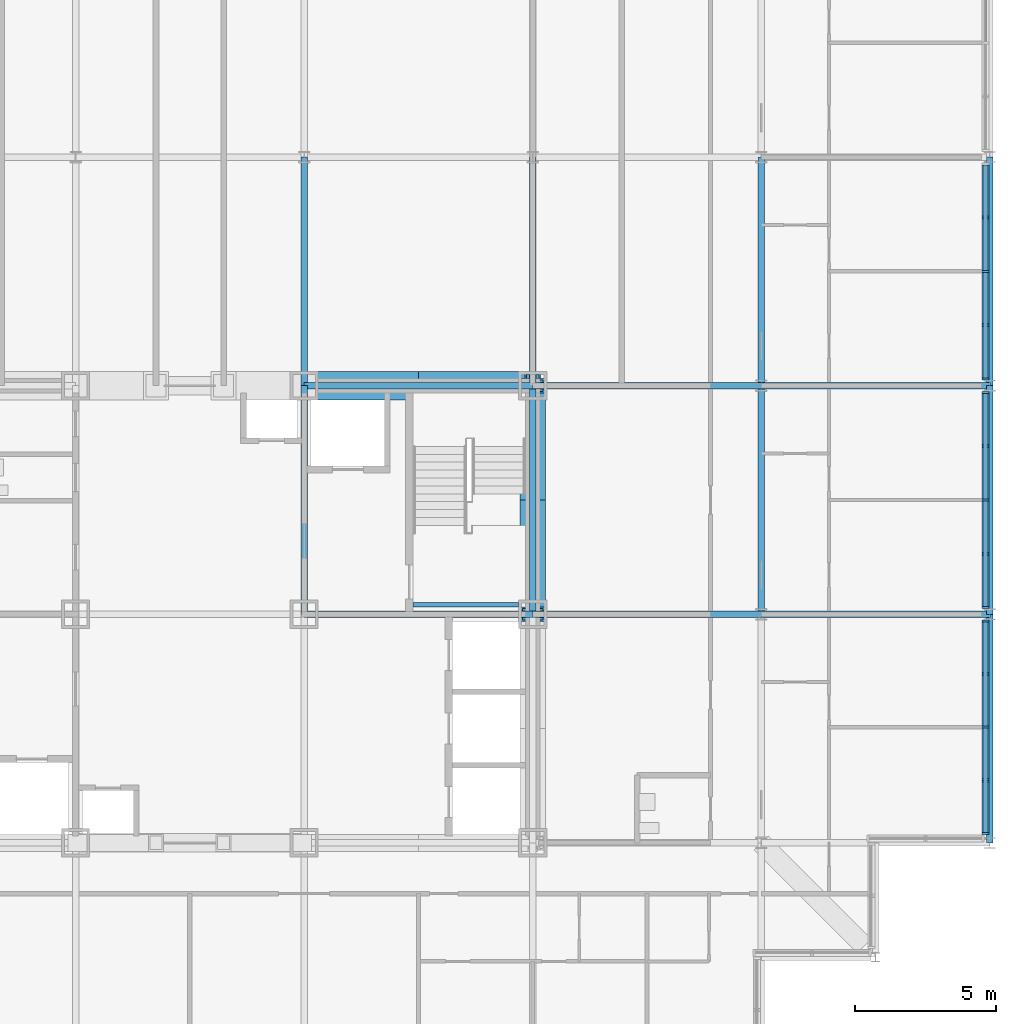
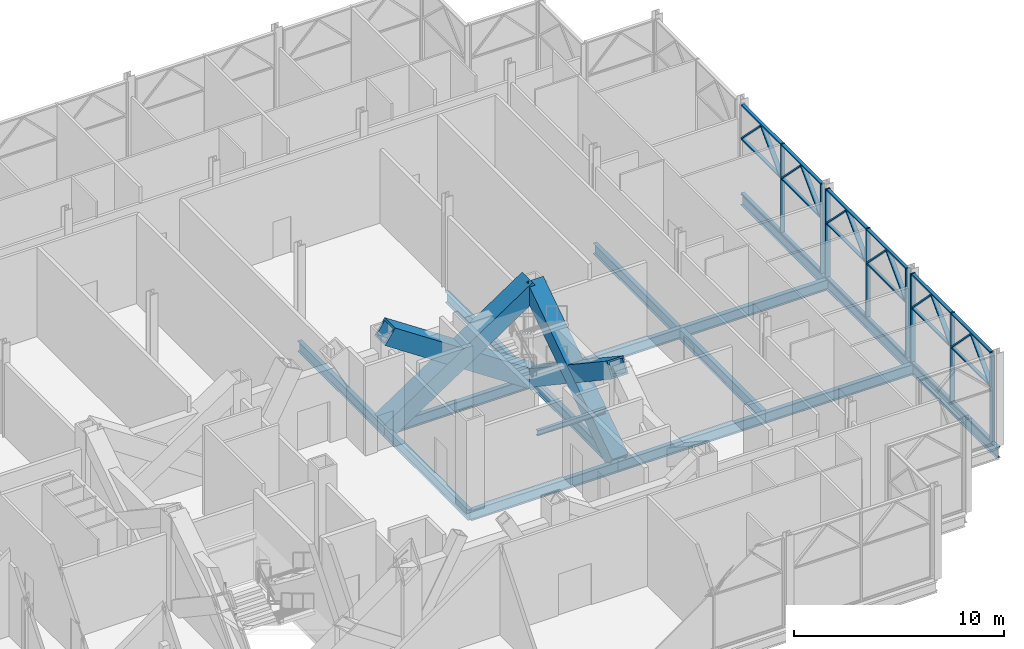
# One storey, part 9 of 26: 42 members, 16 beams, 3 elements without a shape of their own.
"""IFC4 building model written with IfcOpenShell, lengths in metres."""

from ifc_helpers import new_model, si_unit, direction, frame, origin, origin_2d, place, context, subcontext, project, spatial, rectangle, hollow_rectangle, i_section, extrude, material, material_profile, profile_set, type_object, element, aggregate, save


model = new_model("IFC4")

# Units and contexts
model_context = context("Model", 3, precision=1e-05, world=origin(), true_north=direction((0.0, 1.0)))
body_context = subcontext(model_context, "Body", "Model", "MODEL_VIEW")
ifc_project = project(units=[si_unit("LENGTHUNIT", "METRE"), si_unit("AREAUNIT", "SQUARE_METRE"), si_unit("VOLUMEUNIT", "CUBIC_METRE"), si_unit("PLANEANGLEUNIT", "RADIAN"), si_unit("MASSUNIT", "GRAM", prefix="KILO")], contexts=[model_context])

# Site, building, storey
site_placement = place(None, origin())
site = spatial("IfcSite", under=ifc_project, at=site_placement, CompositionType="ELEMENT")
building_placement = place(site_placement, origin())
building = spatial("IfcBuilding", under=site, at=building_placement, Name="Kopane Lantern Tower", CompositionType="ELEMENT")
storey_placement = place(building_placement, frame((0.0, 0.0, 293.10009765625)))
storey = spatial("IfcBuildingStorey", under=building, at=storey_placement, Name="L75", CompositionType="ELEMENT", Elevation=293.10009765625)

# Members
ifc_material_1 = material(Name="Steel S355JR", Category="steel")
ifc_material_profile_1 = material_profile(ifc_material_1, hollow_rectangle(XDim=1.0, YDim=1.0, WallThickness=0.10009765625, at=origin_2d()), Name="BOX 1000x1000x100")
ifc_profile_set_1 = profile_set([ifc_material_profile_1], Name="Steel S355JR")
member_type_1 = type_object("IfcMemberType", Name="BRACE BOX 1000x1000x100", PredefinedType="BRACE", material=ifc_profile_set_1)
for number, where, z_axis, x_axis, name in (
    (1, (32.39990234375, 40.5, -0.210205078125), (0.832046436124, 0.0, 0.554705983502), (0.0, 1.0, 0.0), "Core brace L75"),
    (2, (40.5, 40.5, -0.210205078125), (-0.832046436124, 0.0, 0.554705983502), (0.0, -1.0, 0.0), "Core brace L75"),
):
    element("IfcMember", number, at=place(storey_placement, frame(where, z_axis=z_axis, x_axis=x_axis)), inside=storey, type_object=member_type_1, Name=name, PredefinedType="BRACE", context=body_context, shape_type="SweptSolid", body=[
        extrude(hollow_rectangle(XDim=1.0, YDim=1.0, WallThickness=0.10009765625, at=origin_2d()), origin(), (0.0, 0.0, 1.0), 9.735107421875),
    ])
ifc_material_2 = material(Name="Steel S355JR", Category="steel")
ifc_material_profile_2 = material_profile(ifc_material_2, hollow_rectangle(XDim=0.89990234375, YDim=0.89990234375, WallThickness=0.090087890625, at=origin_2d()), Name="BOX 900x900x90")
ifc_profile_set_2 = profile_set([ifc_material_profile_2], Name="Steel S355JR")
member_type_2 = type_object("IfcMemberType", Name="BRACE BOX 900x900x90", PredefinedType="BRACE", material=ifc_profile_set_2)
for number, where, z_axis, x_axis, name in (
    (3, (40.5, 32.39990234375, -0.210205078125), (0.0, 0.832046436124, 0.554705983502), (-1.0, 0.0, 0.0), "Core brace L75"),
    (4, (40.5, 40.5, -0.210205078125), (0.0, -0.832046436124, 0.554705983502), (1.0, 0.0, 0.0), "Core brace L75"),
):
    element("IfcMember", number, at=place(storey_placement, frame(where, z_axis=z_axis, x_axis=x_axis)), inside=storey, type_object=member_type_2, Name=name, PredefinedType="BRACE", context=body_context, shape_type="SweptSolid", body=[
        extrude(hollow_rectangle(XDim=0.89990234375, YDim=0.89990234375, WallThickness=0.090087890625, at=origin_2d()), origin(), (0.0, 0.0, 1.0), 9.735107421875),
    ])

# Beams
ifc_material_3 = material(Name="Steel S355JR", Category="steel")
ifc_material_profile_3 = material_profile(ifc_material_3, i_section(OverallWidth=0.22900390625, OverallDepth=0.6123046875, WebThickness=0.011962890625, FlangeThickness=0.01953125, FilletRadius=0.0126953125, at=origin_2d()), Name="UB 610x229x125")
ifc_profile_set_3 = profile_set([ifc_material_profile_3], Name="Steel S355JR")
beam_type_1 = type_object("IfcBeamType", Name="CORE BEAM UB 610x229x125", PredefinedType="BEAM", material=ifc_profile_set_3)
for number, where, z_axis, x_axis, name in (
    (5, (32.39990234375, 32.39990234375, -0.51611328125), (0.0, 1.0, 0.0), (-1.0, 0.0, 0.0), "Core Beam L75"),
    (6, (32.39990234375, 32.39990234375, -0.51611328125), (1.0, 0.0, 0.0), (0.0, 1.0, 0.0), "Core Beam L75"),
):
    element("IfcBeam", number, at=place(storey_placement, frame(where, z_axis=z_axis, x_axis=x_axis)), inside=storey, type_object=beam_type_1, Name=name, PredefinedType="BEAM", context=body_context, shape_type="SweptSolid", body=[
        extrude(i_section(OverallWidth=0.22900390625, OverallDepth=0.6123046875, WebThickness=0.011962890625, FlangeThickness=0.01953125, FilletRadius=0.0126953125, at=origin_2d()), origin(), (0.0, 0.0, 1.0), 8.10009765625),
    ])
ifc_material_4 = material(Name="Steel S355JR", Category="steel")
ifc_material_profile_4 = material_profile(ifc_material_4, i_section(OverallWidth=0.22900390625, OverallDepth=0.6123046875, WebThickness=0.011962890625, FlangeThickness=0.01953125, FilletRadius=0.0126953125, at=origin_2d()), Name="UB 610x229x125")
ifc_profile_set_4 = profile_set([ifc_material_profile_4], Name="Steel S355JR")
beam_type_2 = type_object("IfcBeamType", Name="GIRDER UB 610x229x125", PredefinedType="BEAM", material=ifc_profile_set_4)
for number, where, z_axis, x_axis, name in (
    (7, (32.39990234375, 40.5, -0.51611328125), (0.0, 1.0, 0.0), (-1.0, 0.0, 0.0), "Girder L75"),
    (8, (32.39990234375, 40.5, -0.51611328125), (1.0, 0.0, 0.0), (0.0, 1.0, 0.0), "Girder L75"),
    (9, (40.5, 32.39990234375, -0.51611328125), (0.0, 1.0, 0.0), (-1.0, 0.0, 0.0), "Girder L75"),
    (10, (40.5, 32.39990234375, -0.51611328125), (1.0, 0.0, 0.0), (0.0, 1.0, 0.0), "Girder L75"),
    (11, (40.5, 40.5, -0.51611328125), (0.0, 1.0, 0.0), (-1.0, 0.0, 0.0), "Girder L75"),
    (12, (40.5, 40.5, -0.51611328125), (1.0, 0.0, 0.0), (0.0, 1.0, 0.0), "Girder L75"),
    (13, (48.60009765625, 32.39990234375, -0.51611328125), (0.0, 1.0, 0.0), (-1.0, 0.0, 0.0), "Girder L75"),
):
    element("IfcBeam", number, at=place(storey_placement, frame(where, z_axis=z_axis, x_axis=x_axis)), inside=storey, type_object=beam_type_2, Name=name, PredefinedType="BEAM", context=body_context, shape_type="SweptSolid", body=[
        extrude(i_section(OverallWidth=0.22900390625, OverallDepth=0.6123046875, WebThickness=0.011962890625, FlangeThickness=0.01953125, FilletRadius=0.0126953125, at=origin_2d()), origin(), (0.0, 0.0, 1.0), 8.10009765625),
    ])
beam_1_placement = place(storey_placement, frame((48.60009765625, 32.39990234375, -0.51611328125), z_axis=(1.0, 0.0, 0.0), x_axis=(0.0, 1.0, 0.0)))
element("IfcBeam", 14, at=beam_1_placement, inside=storey, type_object=beam_type_2, Name="Girder L75", PredefinedType="BEAM", context=body_context, shape_type="SweptSolid", body=[
    extrude(i_section(OverallWidth=0.22900390625, OverallDepth=0.6123046875, WebThickness=0.011962890625, FlangeThickness=0.01953125, FilletRadius=0.0126953125, at=origin_2d()), origin(), (0.0, 0.0, 1.0), 8.099853515625),
])
beam_2_placement = place(storey_placement, frame((48.60009765625, 40.5, -0.51611328125), z_axis=(0.0, 1.0, 0.0), x_axis=(-1.0, 0.0, 0.0)))
element("IfcBeam", 15, at=beam_2_placement, inside=storey, type_object=beam_type_2, Name="Girder L75", PredefinedType="BEAM", context=body_context, shape_type="SweptSolid", body=[
    extrude(i_section(OverallWidth=0.22900390625, OverallDepth=0.6123046875, WebThickness=0.011962890625, FlangeThickness=0.01953125, FilletRadius=0.0126953125, at=origin_2d()), origin(), (0.0, 0.0, 1.0), 8.10009765625),
])
for number, where, z_axis, x_axis, name in (
    (16, (48.60009765625, 40.5, -0.51611328125), (1.0, 0.0, 0.0), (0.0, 1.0, 0.0), "Girder L75"),
    (17, (56.699951171875, 24.300048828125, -0.51611328125), (0.0, 1.0, 0.0), (-1.0, 0.0, 0.0), "Girder L75"),
):
    element("IfcBeam", number, at=place(storey_placement, frame(where, z_axis=z_axis, x_axis=x_axis)), inside=storey, type_object=beam_type_2, Name=name, PredefinedType="BEAM", context=body_context, shape_type="SweptSolid", body=[
        extrude(i_section(OverallWidth=0.22900390625, OverallDepth=0.6123046875, WebThickness=0.011962890625, FlangeThickness=0.01953125, FilletRadius=0.0126953125, at=origin_2d()), origin(), (0.0, 0.0, 1.0), 8.099853515625),
    ])
for number, where, z_axis, x_axis, name in (
    (18, (56.699951171875, 32.39990234375, -0.51611328125), (0.0, 1.0, 0.0), (-1.0, 0.0, 0.0), "Girder L75"),
    (19, (56.699951171875, 40.5, -0.51611328125), (0.0, 1.0, 0.0), (-1.0, 0.0, 0.0), "Girder L75"),
):
    element("IfcBeam", number, at=place(storey_placement, frame(where, z_axis=z_axis, x_axis=x_axis)), inside=storey, type_object=beam_type_2, Name=name, PredefinedType="BEAM", context=body_context, shape_type="SweptSolid", body=[
        extrude(i_section(OverallWidth=0.22900390625, OverallDepth=0.6123046875, WebThickness=0.011962890625, FlangeThickness=0.01953125, FilletRadius=0.0126953125, at=origin_2d()), origin(), (0.0, 0.0, 1.0), 8.10009765625),
    ])

# Curtain wall, members
ifc_material_5 = material(Name="Aluminium and clear glass", Category="aluminium")
curtain_wall_type = type_object("IfcCurtainWallType", Name="CURTAIN WALL CW5 SKY RESTAURANT", PredefinedType="USERDEFINED", material=ifc_material_5)
curtain_wall_1_placement = place(storey_placement, origin())
curtain_wall_1 = element("IfcCurtainWall", 20, at=curtain_wall_1_placement, inside=storey, type_object=curtain_wall_type, Name="Curtain wall CW5 E L75", ObjectType="CURTAIN WALL", PredefinedType="USERDEFINED")
ifc_material_6 = material(Name="Aluminium", Category="aluminium")
ifc_material_profile_5 = material_profile(ifc_material_6, rectangle(XDim=0.074951171875, YDim=0.25, at=origin_2d()), Name="AL 75x250")
ifc_profile_set_5 = profile_set([ifc_material_profile_5], Name="Aluminium")
member_type_3 = type_object("IfcMemberType", Name="MULLION CW5-M 75x250", PredefinedType="MULLION", material=ifc_profile_set_5)
member_1_placement = place(storey_placement, frame((56.550048828125, 24.637451171875, 0.0), z_axis=(0.0, 0.0, 1.0), x_axis=(0.0, 1.0, 0.0)))
member_1 = element("IfcMember", 21, at=member_1_placement, type_object=member_type_3, Name="CW5 mullion 1", PredefinedType="MULLION", context=body_context, shape_type="SweptSolid", body=[
    extrude(rectangle(XDim=0.074951171875, YDim=0.25, at=origin_2d()), origin(), (0.0, 0.0, 1.0), 5.18994140625),
])
member_2_placement = place(storey_placement, frame((56.550048828125, 28.399169921875, 0.0), z_axis=(0.0, 0.0, 1.0), x_axis=(0.0, 1.0, 0.0)))
member_2 = element("IfcMember", 22, at=member_2_placement, type_object=member_type_3, Name="CW5 mullion 2", PredefinedType="MULLION", context=body_context, shape_type="SweptSolid", body=[
    extrude(rectangle(XDim=0.074951171875, YDim=0.25, at=origin_2d()), origin(), (0.0, 0.0, 1.0), 5.18994140625),
])
member_3_placement = place(storey_placement, frame((56.550048828125, 32.16064453125, 0.0), z_axis=(0.0, 0.0, 1.0), x_axis=(0.0, 1.0, 0.0)))
member_3 = element("IfcMember", 23, at=member_3_placement, type_object=member_type_3, Name="CW5 mullion 3", PredefinedType="MULLION", context=body_context, shape_type="SweptSolid", body=[
    extrude(rectangle(XDim=0.074951171875, YDim=0.25, at=origin_2d()), origin(), (0.0, 0.0, 1.0), 5.18994140625),
])
member_4_placement = place(storey_placement, frame((56.550048828125, 24.701904296875, 3.253662109375), z_axis=(0.0, 0.698192909608, 0.715909673753), x_axis=(0.0, -0.715909673753, 0.698192909608)))
member_4 = element("IfcMember", 24, at=member_4_placement, type_object=member_type_3, Name="CW5 lancet mullion 1L", PredefinedType="MULLION", context=body_context, shape_type="SweptSolid", body=[
    extrude(rectangle(XDim=0.074951171875, YDim=0.25, at=origin_2d()), origin(), (0.0, 0.0, 1.0), 2.563232421875),
])
member_5_placement = place(storey_placement, frame((56.550048828125, 28.334716796875, 3.253662109375), z_axis=(0.0, -0.698192909608, 0.715909673753), x_axis=(0.0, 0.715909673753, 0.698192909608)))
member_5 = element("IfcMember", 25, at=member_5_placement, type_object=member_type_3, Name="CW5 lancet mullion 1R", PredefinedType="MULLION", context=body_context, shape_type="SweptSolid", body=[
    extrude(rectangle(XDim=0.074951171875, YDim=0.25, at=origin_2d()), origin(), (0.0, 0.0, 1.0), 2.563232421875),
])
member_6_placement = place(storey_placement, frame((56.550048828125, 28.46337890625, 3.253662109375), z_axis=(0.0, 0.69824172363, 0.715862064494), x_axis=(0.0, -0.715862064494, 0.69824172363)))
member_6 = element("IfcMember", 26, at=member_6_placement, type_object=member_type_3, Name="CW5 lancet mullion 2L", PredefinedType="MULLION", context=body_context, shape_type="SweptSolid", body=[
    extrude(rectangle(XDim=0.074951171875, YDim=0.25, at=origin_2d()), origin(), (0.0, 0.0, 1.0), 2.563232421875),
])
member_7_placement = place(storey_placement, frame((56.550048828125, 32.096435546875, 3.253662109375), z_axis=(0.0, -0.69824172363, 0.715862064494), x_axis=(0.0, 0.715862064494, 0.69824172363)))
member_7 = element("IfcMember", 27, at=member_7_placement, type_object=member_type_3, Name="CW5 lancet mullion 2R", PredefinedType="MULLION", context=body_context, shape_type="SweptSolid", body=[
    extrude(rectangle(XDim=0.074951171875, YDim=0.25, at=origin_2d()), origin(), (0.0, 0.0, 1.0), 2.563232421875),
])

curtain_wall_2_placement = place(storey_placement, origin())
curtain_wall_2 = element("IfcCurtainWall", 28, at=curtain_wall_2_placement, inside=storey, type_object=curtain_wall_type, Name="Curtain wall CW5 E L75", ObjectType="CURTAIN WALL", PredefinedType="USERDEFINED")
member_8_placement = place(storey_placement, frame((56.550048828125, 32.639404296875, 0.0), z_axis=(0.0, 0.0, 1.0), x_axis=(0.0, 1.0, 0.0)))
member_8 = element("IfcMember", 29, at=member_8_placement, type_object=member_type_3, Name="CW5 mullion 1", PredefinedType="MULLION", context=body_context, shape_type="SweptSolid", body=[
    extrude(rectangle(XDim=0.074951171875, YDim=0.25, at=origin_2d()), origin(), (0.0, 0.0, 1.0), 5.18994140625),
])
member_9_placement = place(storey_placement, frame((56.550048828125, 36.449951171875, 0.0), z_axis=(0.0, 0.0, 1.0), x_axis=(0.0, 1.0, 0.0)))
member_9 = element("IfcMember", 30, at=member_9_placement, type_object=member_type_3, Name="CW5 mullion 2", PredefinedType="MULLION", context=body_context, shape_type="SweptSolid", body=[
    extrude(rectangle(XDim=0.074951171875, YDim=0.25, at=origin_2d()), origin(), (0.0, 0.0, 1.0), 5.18994140625),
])
member_10_placement = place(storey_placement, frame((56.550048828125, 40.2607421875, 0.0), z_axis=(0.0, 0.0, 1.0), x_axis=(0.0, 1.0, 0.0)))
member_10 = element("IfcMember", 31, at=member_10_placement, type_object=member_type_3, Name="CW5 mullion 3", PredefinedType="MULLION", context=body_context, shape_type="SweptSolid", body=[
    extrude(rectangle(XDim=0.074951171875, YDim=0.25, at=origin_2d()), origin(), (0.0, 0.0, 1.0), 5.18994140625),
])
member_11_placement = place(storey_placement, frame((56.550048828125, 32.70361328125, 3.25390625), z_axis=(0.0, 0.703169408785, 0.711022350245), x_axis=(0.0, -0.711022350245, 0.703169408785)))
member_11 = element("IfcMember", 32, at=member_11_placement, type_object=member_type_3, Name="CW5 lancet mullion 1L", PredefinedType="MULLION", context=body_context, shape_type="SweptSolid", body=[
    extrude(rectangle(XDim=0.074951171875, YDim=0.25, at=origin_2d()), origin(), (0.0, 0.0, 1.0), 2.580322265625),
])
member_12_placement = place(storey_placement, frame((56.550048828125, 36.3857421875, 3.25390625), z_axis=(0.0, -0.703169408785, 0.711022350245), x_axis=(0.0, 0.711022350245, 0.703169408785)))
member_12 = element("IfcMember", 33, at=member_12_placement, type_object=member_type_3, Name="CW5 lancet mullion 1R", PredefinedType="MULLION", context=body_context, shape_type="SweptSolid", body=[
    extrude(rectangle(XDim=0.074951171875, YDim=0.25, at=origin_2d()), origin(), (0.0, 0.0, 1.0), 2.580322265625),
])
member_13_placement = place(storey_placement, frame((56.550048828125, 36.51416015625, 3.25390625), z_axis=(0.0, 0.703169408785, 0.711022350245), x_axis=(0.0, -0.711022350245, 0.703169408785)))
member_13 = element("IfcMember", 34, at=member_13_placement, type_object=member_type_3, Name="CW5 lancet mullion 2L", PredefinedType="MULLION", context=body_context, shape_type="SweptSolid", body=[
    extrude(rectangle(XDim=0.074951171875, YDim=0.25, at=origin_2d()), origin(), (0.0, 0.0, 1.0), 2.580322265625),
])
member_14_placement = place(storey_placement, frame((56.550048828125, 40.196533203125, 3.25390625), z_axis=(0.0, -0.703169408785, 0.711022350245), x_axis=(0.0, 0.711022350245, 0.703169408785)))
member_14 = element("IfcMember", 35, at=member_14_placement, type_object=member_type_3, Name="CW5 lancet mullion 2R", PredefinedType="MULLION", context=body_context, shape_type="SweptSolid", body=[
    extrude(rectangle(XDim=0.074951171875, YDim=0.25, at=origin_2d()), origin(), (0.0, 0.0, 1.0), 2.580322265625),
])

curtain_wall_3_placement = place(storey_placement, origin())
curtain_wall_3 = element("IfcCurtainWall", 36, at=curtain_wall_3_placement, inside=storey, type_object=curtain_wall_type, Name="Curtain wall CW5 E L75", ObjectType="CURTAIN WALL", PredefinedType="USERDEFINED")
member_15_placement = place(storey_placement, frame((56.550048828125, 40.7392578125, 0.0), z_axis=(0.0, 0.0, 1.0), x_axis=(0.0, 1.0, 0.0)))
member_15 = element("IfcMember", 37, at=member_15_placement, type_object=member_type_3, Name="CW5 mullion 1", PredefinedType="MULLION", context=body_context, shape_type="SweptSolid", body=[
    extrude(rectangle(XDim=0.074951171875, YDim=0.25, at=origin_2d()), origin(), (0.0, 0.0, 1.0), 5.18994140625),
])
member_16_placement = place(storey_placement, frame((56.550048828125, 44.550048828125, 0.0), z_axis=(0.0, 0.0, 1.0), x_axis=(0.0, 1.0, 0.0)))
member_16 = element("IfcMember", 38, at=member_16_placement, type_object=member_type_3, Name="CW5 mullion 2", PredefinedType="MULLION", context=body_context, shape_type="SweptSolid", body=[
    extrude(rectangle(XDim=0.074951171875, YDim=0.25, at=origin_2d()), origin(), (0.0, 0.0, 1.0), 5.18994140625),
])
member_17_placement = place(storey_placement, frame((56.550048828125, 40.803466796875, 3.25390625), z_axis=(0.0, 0.703169408785, 0.711022350245), x_axis=(0.0, -0.711022350245, 0.703169408785)))
member_17 = element("IfcMember", 39, at=member_17_placement, type_object=member_type_3, Name="CW5 lancet mullion 1L", PredefinedType="MULLION", context=body_context, shape_type="SweptSolid", body=[
    extrude(rectangle(XDim=0.074951171875, YDim=0.25, at=origin_2d()), origin(), (0.0, 0.0, 1.0), 2.580322265625),
])
member_18_placement = place(storey_placement, frame((56.550048828125, 44.48583984375, 3.25390625), z_axis=(0.0, -0.703169408785, 0.711022350245), x_axis=(0.0, 0.711022350245, 0.703169408785)))
member_18 = element("IfcMember", 40, at=member_18_placement, type_object=member_type_3, Name="CW5 lancet mullion 1R", PredefinedType="MULLION", context=body_context, shape_type="SweptSolid", body=[
    extrude(rectangle(XDim=0.074951171875, YDim=0.25, at=origin_2d()), origin(), (0.0, 0.0, 1.0), 2.580322265625),
])
member_19_placement = place(storey_placement, frame((56.550048828125, 44.6142578125, 3.25390625), z_axis=(0.0, 0.703169408785, 0.711022350245), x_axis=(0.0, -0.711022350245, 0.703169408785)))
member_19 = element("IfcMember", 41, at=member_19_placement, type_object=member_type_3, Name="CW5 lancet mullion 2L", PredefinedType="MULLION", context=body_context, shape_type="SweptSolid", body=[
    extrude(rectangle(XDim=0.074951171875, YDim=0.25, at=origin_2d()), origin(), (0.0, 0.0, 1.0), 2.580322265625),
])
member_20_placement = place(storey_placement, frame((56.550048828125, 48.29638671875, 3.25390625), z_axis=(0.0, -0.703169408785, 0.711022350245), x_axis=(0.0, 0.711022350245, 0.703169408785)))
member_20 = element("IfcMember", 42, at=member_20_placement, type_object=member_type_3, Name="CW5 lancet mullion 2R", PredefinedType="MULLION", context=body_context, shape_type="SweptSolid", body=[
    extrude(rectangle(XDim=0.074951171875, YDim=0.25, at=origin_2d()), origin(), (0.0, 0.0, 1.0), 2.580322265625),
])

# Beam
ifc_material_7 = material(Name="Steel S355JR", Category="steel")
ifc_material_profile_6 = material_profile(ifc_material_7, i_section(OverallWidth=0.1650390625, OverallDepth=0.303466796875, WebThickness=0.006103515625, FlangeThickness=0.01025390625, FilletRadius=0.0087890625, at=origin_2d()), Name="UB 305x165x40")
ifc_profile_set_6 = profile_set([ifc_material_profile_6], Name="Steel S355JR")
beam_type_3 = type_object("IfcBeamType", Name="STAIR LANDING BEAM UB 305x165x40", PredefinedType="BEAM", material=ifc_profile_set_6)
beam_3_placement = place(storey_placement, frame((40.0, 32.732421875, 2.685791015625), z_axis=(-1.0, 0.0, 0.0), x_axis=(0.0, -1.0, 0.0)))
element("IfcBeam", 43, at=beam_3_placement, inside=storey, type_object=beam_type_3, Name="Stair landing beam ST2 L75", PredefinedType="BEAM", context=body_context, shape_type="SweptSolid", body=[
    extrude(i_section(OverallWidth=0.1650390625, OverallDepth=0.303466796875, WebThickness=0.006103515625, FlangeThickness=0.01025390625, FilletRadius=0.0087890625, at=origin_2d()), origin(), (0.0, 0.0, 1.0), 3.75),
])

# Member
ifc_material_8 = material(Name="Aluminium", Category="aluminium")
ifc_material_profile_7 = material_profile(ifc_material_8, rectangle(XDim=0.175048828125, YDim=0.074951171875, at=origin_2d()), Name="AL 175x75")
ifc_profile_set_7 = profile_set([ifc_material_profile_7], Name="Aluminium")
member_type_4 = type_object("IfcMemberType", Name="TRANSOM CW5-T 75x175", PredefinedType="USERDEFINED", material=ifc_profile_set_7)
member_21_placement = place(storey_placement, frame((56.550048828125, 24.675048828125, 0.037353515625), z_axis=(0.0, 1.0, 0.0), x_axis=(-1.0, 0.0, 0.0)))
member_21 = element("IfcMember", 44, at=member_21_placement, type_object=member_type_4, Name="CW5 transom 1.1", ObjectType="TRANSOM", PredefinedType="USERDEFINED", context=body_context, shape_type="SweptSolid", body=[
    extrude(rectangle(XDim=0.175048828125, YDim=0.074951171875, at=origin_2d()), origin(), (0.0, 0.0, 1.0), 3.6865234375),
])

member_22_placement = place(storey_placement, frame((56.550048828125, 24.675048828125, 3.18994140625), z_axis=(0.0, 1.0, 0.0), x_axis=(-1.0, 0.0, 0.0)))
member_22 = element("IfcMember", 45, at=member_22_placement, type_object=member_type_4, Name="CW5 transom 1.2", ObjectType="TRANSOM", PredefinedType="USERDEFINED", context=body_context, shape_type="SweptSolid", body=[
    extrude(rectangle(XDim=0.175048828125, YDim=0.074951171875, at=origin_2d()), origin(), (0.0, 0.0, 1.0), 3.6865234375),
])

member_23_placement = place(storey_placement, frame((56.550048828125, 24.675048828125, 5.15234375), z_axis=(0.0, 1.0, 0.0), x_axis=(-1.0, 0.0, 0.0)))
member_23 = element("IfcMember", 46, at=member_23_placement, type_object=member_type_4, Name="CW5 transom 1.3", ObjectType="TRANSOM", PredefinedType="USERDEFINED", context=body_context, shape_type="SweptSolid", body=[
    extrude(rectangle(XDim=0.175048828125, YDim=0.074951171875, at=origin_2d()), origin(), (0.0, 0.0, 1.0), 3.6865234375),
])

member_24_placement = place(storey_placement, frame((56.550048828125, 28.4365234375, 0.037353515625), z_axis=(0.0, 1.0, 0.0), x_axis=(-1.0, 0.0, 0.0)))
member_24 = element("IfcMember", 47, at=member_24_placement, type_object=member_type_4, Name="CW5 transom 2.1", ObjectType="TRANSOM", PredefinedType="USERDEFINED", context=body_context, shape_type="SweptSolid", body=[
    extrude(rectangle(XDim=0.175048828125, YDim=0.074951171875, at=origin_2d()), origin(), (0.0, 0.0, 1.0), 3.686767578125),
])

member_25_placement = place(storey_placement, frame((56.550048828125, 28.4365234375, 3.18994140625), z_axis=(0.0, 1.0, 0.0), x_axis=(-1.0, 0.0, 0.0)))
member_25 = element("IfcMember", 48, at=member_25_placement, type_object=member_type_4, Name="CW5 transom 2.2", ObjectType="TRANSOM", PredefinedType="USERDEFINED", context=body_context, shape_type="SweptSolid", body=[
    extrude(rectangle(XDim=0.175048828125, YDim=0.074951171875, at=origin_2d()), origin(), (0.0, 0.0, 1.0), 3.686767578125),
])

member_26_placement = place(storey_placement, frame((56.550048828125, 28.4365234375, 5.15234375), z_axis=(0.0, 1.0, 0.0), x_axis=(-1.0, 0.0, 0.0)))
member_26 = element("IfcMember", 49, at=member_26_placement, type_object=member_type_4, Name="CW5 transom 2.3", ObjectType="TRANSOM", PredefinedType="USERDEFINED", context=body_context, shape_type="SweptSolid", body=[
    extrude(rectangle(XDim=0.175048828125, YDim=0.074951171875, at=origin_2d()), origin(), (0.0, 0.0, 1.0), 3.686767578125),
])

aggregate(curtain_wall_1, [member_1, member_2, member_3, member_21, member_22, member_23, member_24, member_25, member_26, member_4, member_5, member_6, member_7])

member_27_placement = place(storey_placement, frame((56.550048828125, 32.6767578125, 0.037353515625), z_axis=(0.0, 1.0, 0.0), x_axis=(-1.0, 0.0, 0.0)))
member_27 = element("IfcMember", 50, at=member_27_placement, type_object=member_type_4, Name="CW5 transom 1.1", ObjectType="TRANSOM", PredefinedType="USERDEFINED", context=body_context, shape_type="SweptSolid", body=[
    extrude(rectangle(XDim=0.175048828125, YDim=0.074951171875, at=origin_2d()), origin(), (0.0, 0.0, 1.0), 3.73583984375),
])

member_28_placement = place(storey_placement, frame((56.550048828125, 32.6767578125, 3.18994140625), z_axis=(0.0, 1.0, 0.0), x_axis=(-1.0, 0.0, 0.0)))
member_28 = element("IfcMember", 51, at=member_28_placement, type_object=member_type_4, Name="CW5 transom 1.2", ObjectType="TRANSOM", PredefinedType="USERDEFINED", context=body_context, shape_type="SweptSolid", body=[
    extrude(rectangle(XDim=0.175048828125, YDim=0.074951171875, at=origin_2d()), origin(), (0.0, 0.0, 1.0), 3.73583984375),
])

member_29_placement = place(storey_placement, frame((56.550048828125, 32.6767578125, 5.15234375), z_axis=(0.0, 1.0, 0.0), x_axis=(-1.0, 0.0, 0.0)))
member_29 = element("IfcMember", 52, at=member_29_placement, type_object=member_type_4, Name="CW5 transom 1.3", ObjectType="TRANSOM", PredefinedType="USERDEFINED", context=body_context, shape_type="SweptSolid", body=[
    extrude(rectangle(XDim=0.175048828125, YDim=0.074951171875, at=origin_2d()), origin(), (0.0, 0.0, 1.0), 3.73583984375),
])

member_30_placement = place(storey_placement, frame((56.550048828125, 36.487548828125, 0.037353515625), z_axis=(0.0, 1.0, 0.0), x_axis=(-1.0, 0.0, 0.0)))
member_30 = element("IfcMember", 53, at=member_30_placement, type_object=member_type_4, Name="CW5 transom 2.1", ObjectType="TRANSOM", PredefinedType="USERDEFINED", context=body_context, shape_type="SweptSolid", body=[
    extrude(rectangle(XDim=0.175048828125, YDim=0.074951171875, at=origin_2d()), origin(), (0.0, 0.0, 1.0), 3.735595703125),
])

member_31_placement = place(storey_placement, frame((56.550048828125, 36.487548828125, 3.18994140625), z_axis=(0.0, 1.0, 0.0), x_axis=(-1.0, 0.0, 0.0)))
member_31 = element("IfcMember", 54, at=member_31_placement, type_object=member_type_4, Name="CW5 transom 2.2", ObjectType="TRANSOM", PredefinedType="USERDEFINED", context=body_context, shape_type="SweptSolid", body=[
    extrude(rectangle(XDim=0.175048828125, YDim=0.074951171875, at=origin_2d()), origin(), (0.0, 0.0, 1.0), 3.735595703125),
])

member_32_placement = place(storey_placement, frame((56.550048828125, 36.487548828125, 5.15234375), z_axis=(0.0, 1.0, 0.0), x_axis=(-1.0, 0.0, 0.0)))
member_32 = element("IfcMember", 55, at=member_32_placement, type_object=member_type_4, Name="CW5 transom 2.3", ObjectType="TRANSOM", PredefinedType="USERDEFINED", context=body_context, shape_type="SweptSolid", body=[
    extrude(rectangle(XDim=0.175048828125, YDim=0.074951171875, at=origin_2d()), origin(), (0.0, 0.0, 1.0), 3.735595703125),
])

aggregate(curtain_wall_2, [member_8, member_9, member_10, member_27, member_28, member_29, member_30, member_31, member_32, member_11, member_12, member_13, member_14])

member_33_placement = place(storey_placement, frame((56.550048828125, 40.77685546875, 0.037353515625), z_axis=(0.0, 1.0, 0.0), x_axis=(-1.0, 0.0, 0.0)))
member_33 = element("IfcMember", 56, at=member_33_placement, type_object=member_type_4, Name="CW5 transom 1.1", ObjectType="TRANSOM", PredefinedType="USERDEFINED", context=body_context, shape_type="SweptSolid", body=[
    extrude(rectangle(XDim=0.175048828125, YDim=0.074951171875, at=origin_2d()), origin(), (0.0, 0.0, 1.0), 3.735595703125),
])

member_34_placement = place(storey_placement, frame((56.550048828125, 40.77685546875, 3.18994140625), z_axis=(0.0, 1.0, 0.0), x_axis=(-1.0, 0.0, 0.0)))
member_34 = element("IfcMember", 57, at=member_34_placement, type_object=member_type_4, Name="CW5 transom 1.2", ObjectType="TRANSOM", PredefinedType="USERDEFINED", context=body_context, shape_type="SweptSolid", body=[
    extrude(rectangle(XDim=0.175048828125, YDim=0.074951171875, at=origin_2d()), origin(), (0.0, 0.0, 1.0), 3.735595703125),
])

member_35_placement = place(storey_placement, frame((56.550048828125, 40.77685546875, 5.15234375), z_axis=(0.0, 1.0, 0.0), x_axis=(-1.0, 0.0, 0.0)))
member_35 = element("IfcMember", 58, at=member_35_placement, type_object=member_type_4, Name="CW5 transom 1.3", ObjectType="TRANSOM", PredefinedType="USERDEFINED", context=body_context, shape_type="SweptSolid", body=[
    extrude(rectangle(XDim=0.175048828125, YDim=0.074951171875, at=origin_2d()), origin(), (0.0, 0.0, 1.0), 3.735595703125),
])

member_36_placement = place(storey_placement, frame((56.550048828125, 44.58740234375, 0.037353515625), z_axis=(0.0, 1.0, 0.0), x_axis=(-1.0, 0.0, 0.0)))
member_36 = element("IfcMember", 59, at=member_36_placement, type_object=member_type_4, Name="CW5 transom 2.1", ObjectType="TRANSOM", PredefinedType="USERDEFINED", context=body_context, shape_type="SweptSolid", body=[
    extrude(rectangle(XDim=0.175048828125, YDim=0.074951171875, at=origin_2d()), origin(), (0.0, 0.0, 1.0), 3.73583984375),
])

member_37_placement = place(storey_placement, frame((56.550048828125, 44.58740234375, 3.18994140625), z_axis=(0.0, 1.0, 0.0), x_axis=(-1.0, 0.0, 0.0)))
member_37 = element("IfcMember", 60, at=member_37_placement, type_object=member_type_4, Name="CW5 transom 2.2", ObjectType="TRANSOM", PredefinedType="USERDEFINED", context=body_context, shape_type="SweptSolid", body=[
    extrude(rectangle(XDim=0.175048828125, YDim=0.074951171875, at=origin_2d()), origin(), (0.0, 0.0, 1.0), 3.73583984375),
])

member_38_placement = place(storey_placement, frame((56.550048828125, 44.58740234375, 5.15234375), z_axis=(0.0, 1.0, 0.0), x_axis=(-1.0, 0.0, 0.0)))
member_38 = element("IfcMember", 61, at=member_38_placement, type_object=member_type_4, Name="CW5 transom 2.3", ObjectType="TRANSOM", PredefinedType="USERDEFINED", context=body_context, shape_type="SweptSolid", body=[
    extrude(rectangle(XDim=0.175048828125, YDim=0.074951171875, at=origin_2d()), origin(), (0.0, 0.0, 1.0), 3.73583984375),
])

aggregate(curtain_wall_3, [member_15, member_16, member_33, member_34, member_35, member_36, member_37, member_38, member_17, member_18, member_19, member_20])

save(model, "model.ifc")
